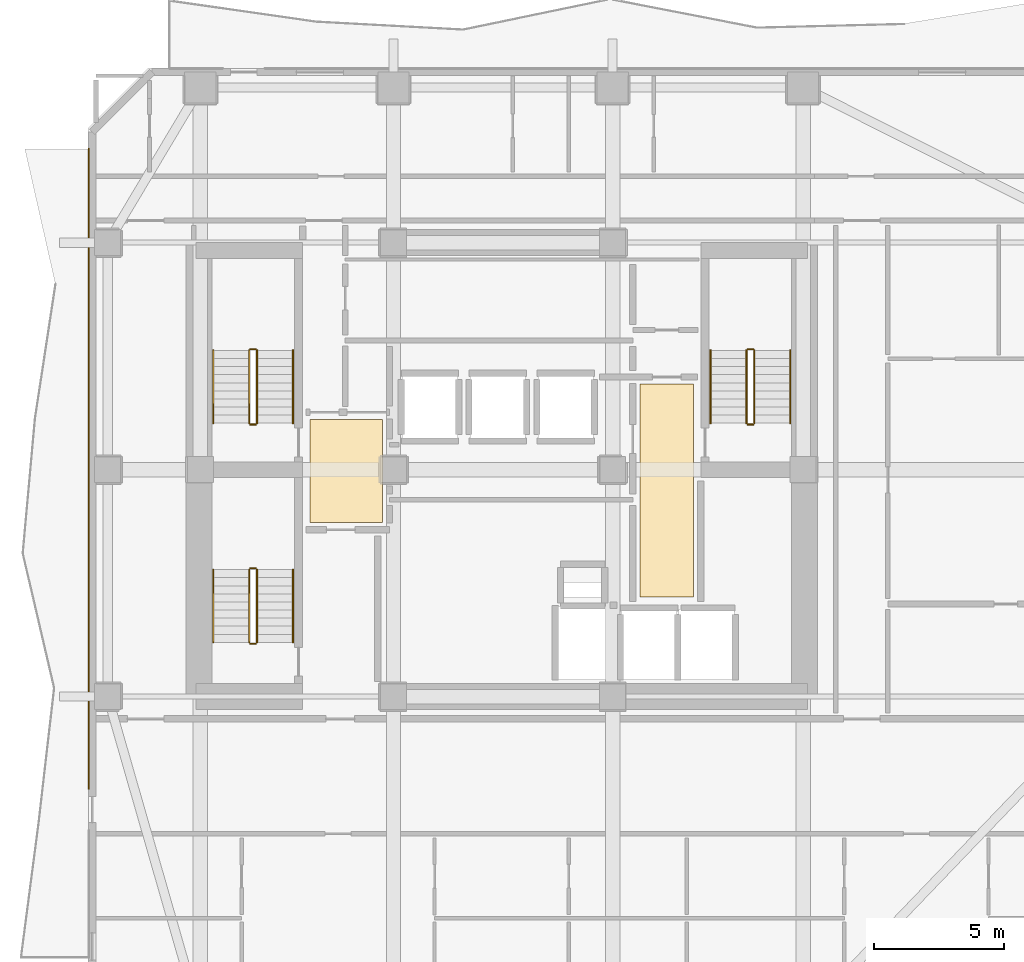
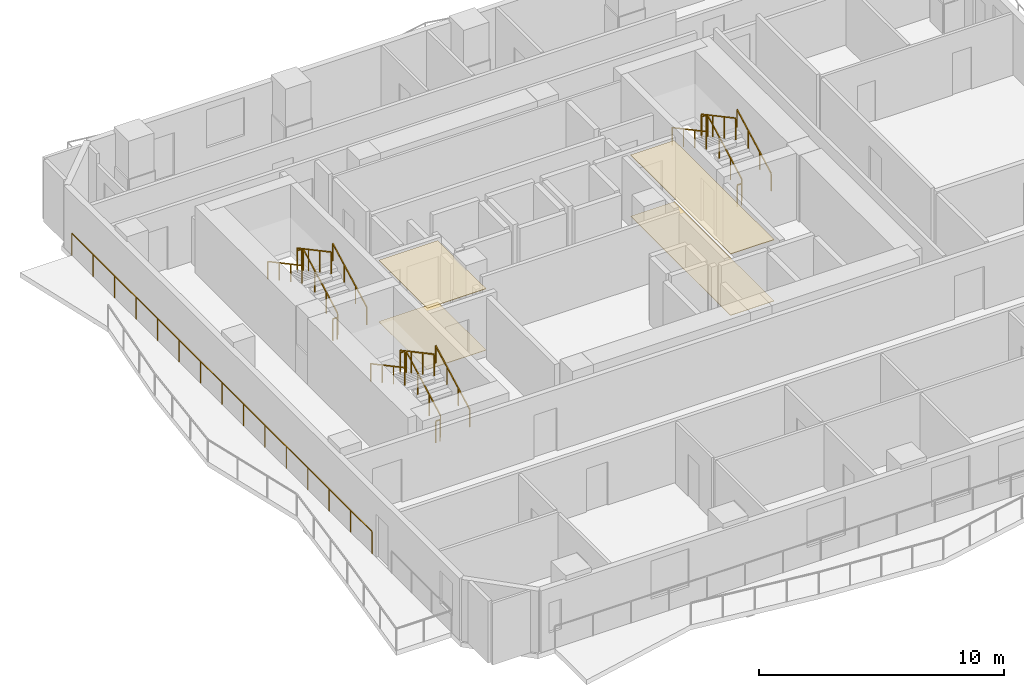
# One storey, part 8 of 9: 19 railings, 4 coverings.
"""IFC4 building model written with IfcOpenShell, lengths in metres."""

from ifc_helpers import new_model, si_unit, direction, frame, origin, origin_2d, place, context, subcontext, project, spatial, polyline, rectangle, outline, extrude, material, layer, layer_set, type_object, element, save


model = new_model("IFC4")

# Units and contexts
model_context = context("Model", 3, precision=1e-05, world=origin(), true_north=direction((0.0, 1.0)))
body_context = subcontext(model_context, "Body", "Model", "MODEL_VIEW")
ifc_project = project(units=[si_unit("LENGTHUNIT", "METRE"), si_unit("AREAUNIT", "SQUARE_METRE"), si_unit("VOLUMEUNIT", "CUBIC_METRE"), si_unit("PLANEANGLEUNIT", "RADIAN"), si_unit("MASSUNIT", "GRAM", prefix="KILO")], contexts=[model_context])

# Site, building, storey
site_placement = place(None, origin())
site = spatial("IfcSite", under=ifc_project, at=site_placement, CompositionType="ELEMENT")
building_placement = place(site_placement, origin())
building = spatial("IfcBuilding", under=site, at=building_placement, Name="Solanera Arch Residences", CompositionType="ELEMENT")
storey_placement = place(building_placement, frame((0.0, 0.0, 129.320068359375)))
storey = spatial("IfcBuildingStorey", under=building, at=storey_placement, Name="L37", CompositionType="ELEMENT", Elevation=129.320068359375)

# Railing
ifc_material_1 = material(Name="Steel S355 (ASTM A992 / A572 Grade 50)", Category="steel")
railing_type_1 = type_object("IfcRailingType", Name="Balustrade Railing BL-1100", PredefinedType="BALUSTRADE", material=ifc_material_1)
railing_1_placement = place(storey_placement, frame((9.1201171875, 18.472900390625, 0.0)))
element("IfcRailing", 1, at=railing_1_placement, inside=storey, type_object=railing_type_1, Name="L37 W Balcony Balustrade 2", PredefinedType="BALUSTRADE", context=body_context, shape_type="SweptSolid", body=[
    extrude(rectangle(XDim=0.048095703125, YDim=0.048095703125, at=origin_2d()), frame((0.0, 0.0, 1.09619140625), z_axis=(0.0, 1.0, 0.0), x_axis=(-1.0, 0.0, 0.0)), (0.0, 0.0, 1.0), 24.527099609375),
    extrude(rectangle(XDim=0.0419921875, YDim=0.0419921875, at=origin_2d()), origin(), (0.0, 0.0, 1.0), 1.072021484375),
    extrude(rectangle(XDim=0.0419921875, YDim=0.0419921875, at=origin_2d()), frame((0.0, 1.751953125, 0.0)), (0.0, 0.0, 1.0), 1.072021484375),
    extrude(rectangle(XDim=0.0419921875, YDim=0.0419921875, at=origin_2d()), frame((0.0, 3.50390625, 0.0)), (0.0, 0.0, 1.0), 1.072021484375),
    extrude(rectangle(XDim=0.0419921875, YDim=0.0419921875, at=origin_2d()), frame((0.0, 5.255859375, 0.0)), (0.0, 0.0, 1.0), 1.072021484375),
    extrude(rectangle(XDim=0.0419921875, YDim=0.0419921875, at=origin_2d()), frame((0.0, 7.0078125, 0.0)), (0.0, 0.0, 1.0), 1.072021484375),
    extrude(rectangle(XDim=0.0419921875, YDim=0.0419921875, at=origin_2d()), frame((0.0, 8.759765625, 0.0)), (0.0, 0.0, 1.0), 1.072021484375),
    extrude(rectangle(XDim=0.0419921875, YDim=0.0419921875, at=origin_2d()), frame((0.0, 10.51171875, 0.0)), (0.0, 0.0, 1.0), 1.072021484375),
    extrude(rectangle(XDim=0.0419921875, YDim=0.0419921875, at=origin_2d()), frame((0.0, 12.263671875, 0.0)), (0.0, 0.0, 1.0), 1.072021484375),
    extrude(rectangle(XDim=0.0419921875, YDim=0.0419921875, at=origin_2d()), frame((0.0, 14.015380859375, 0.0)), (0.0, 0.0, 1.0), 1.072021484375),
    extrude(rectangle(XDim=0.0419921875, YDim=0.0419921875, at=origin_2d()), frame((0.0, 15.767333984375, 0.0)), (0.0, 0.0, 1.0), 1.072021484375),
    extrude(rectangle(XDim=0.0419921875, YDim=0.0419921875, at=origin_2d()), frame((0.0, 17.519287109375, 0.0)), (0.0, 0.0, 1.0), 1.072021484375),
    extrude(rectangle(XDim=0.0419921875, YDim=0.0419921875, at=origin_2d()), frame((0.0, 19.271240234375, 0.0)), (0.0, 0.0, 1.0), 1.072021484375),
    extrude(rectangle(XDim=0.0419921875, YDim=0.0419921875, at=origin_2d()), frame((0.0, 21.023193359375, 0.0)), (0.0, 0.0, 1.0), 1.072021484375),
    extrude(rectangle(XDim=0.0419921875, YDim=0.0419921875, at=origin_2d()), frame((0.0, 22.775146484375, 0.0)), (0.0, 0.0, 1.0), 1.072021484375),
    extrude(rectangle(XDim=0.0419921875, YDim=0.0419921875, at=origin_2d()), frame((0.0, 24.527099609375, 0.0)), (0.0, 0.0, 1.0), 1.072021484375),
])

# Coverings
ifc_material_2 = material(Name="Porcelain Acoustic Floor Tile", Category="ceramic")
ifc_layer_1 = layer(ifc_material_2, 0.02001953125)
ifc_layer_set_1 = layer_set([ifc_layer_1], Name="Porcelain Acoustic Floor Tile")
covering_type_1 = type_object("IfcCoveringType", Name="Porcelain Acoustic Floor Finish FLR-20", PredefinedType="FLOORING", material=ifc_layer_set_1)
covering_1_placement = place(storey_placement, origin())
element("IfcCovering", 2, at=covering_1_placement, inside=storey, type_object=covering_type_1, Name="L37-FFL-W Porcelain Floor Finish", PredefinedType="FLOORING", context=body_context, shape_type="SweptSolid", body=[
    extrude(outline(polyline([(20.375, 28.675048828125), (17.594970703125, 28.675048828125), (17.594970703125, 32.625), (20.375, 32.625), (20.375, 28.675048828125)])), origin(), (0.0, 0.0, 1.0), 0.02001953125),
])
covering_2_placement = place(storey_placement, origin())
element("IfcCovering", 3, at=covering_2_placement, inside=storey, type_object=covering_type_1, Name="L37-FFL-E Porcelain Floor Finish", PredefinedType="FLOORING", context=body_context, shape_type="SweptSolid", body=[
    extrude(outline(polyline([(32.304931640625, 25.824951171875), (30.25, 25.824951171875), (30.25, 33.97509765625), (32.304931640625, 33.97509765625), (32.304931640625, 25.824951171875)])), origin(), (0.0, 0.0, 1.0), 0.02001953125),
])

# Railings
ifc_material_3 = material(Name="Steel S355 (ASTM A992 / A572 Grade 50)", Category="steel")
railing_type_2 = type_object("IfcRailingType", Name="Stair Guardrail GR-1100", PredefinedType="GUARDRAIL", material=ifc_material_3)
railing_2_placement = place(storey_placement, frame((15.570068359375, 32.47998046875, 0.15087890625)))
element("IfcRailing", 4, at=railing_2_placement, inside=storey, type_object=railing_type_2, Name="L37 ST-T1 stair guard 1", PredefinedType="GUARDRAIL", context=body_context, shape_type="SweptSolid", body=[
    extrude(rectangle(XDim=0.048095703125, YDim=0.048095703125, at=origin_2d()), frame((0.0, 0.0, 1.076171875), z_axis=(0.0, 0.881548766853, 0.472092969298), x_axis=(-1.0, 0.0, 0.0)), (0.0, 0.0, 1.0), 3.1650390625),
    extrude(rectangle(XDim=0.0419921875, YDim=0.0419921875, at=origin_2d()), origin(), (0.0, 0.0, 1.0), 1.052001953125),
    extrude(rectangle(XDim=0.0419921875, YDim=0.0419921875, at=origin_2d()), frame((0.0, 0.929931640625, 0.498046875)), (0.0, 0.0, 1.0), 1.052001953125),
    extrude(rectangle(XDim=0.0419921875, YDim=0.0419921875, at=origin_2d()), frame((0.0, 1.860107421875, 0.99609375)), (0.0, 0.0, 1.0), 1.052001953125),
    extrude(rectangle(XDim=0.0419921875, YDim=0.0419921875, at=origin_2d()), frame((0.0, 2.7900390625, 1.494140625)), (0.0, 0.0, 1.0), 1.052001953125),
])
railing_3_placement = place(storey_placement, frame((15.52001953125, 35.320068359375, 1.64501953125)))
element("IfcRailing", 5, at=railing_3_placement, inside=storey, type_object=railing_type_2, Name="L37 ST-T1 stair guard 2", PredefinedType="GUARDRAIL", context=body_context, shape_type="SweptSolid", body=[
    extrude(rectangle(XDim=0.048095703125, YDim=0.048095703125, at=origin_2d()), frame((0.0, 0.0, 1.076171875), z_axis=(-1.0, 0.0, 0.0), x_axis=(0.0, -1.0, 0.0)), (0.0, 0.0, 1.0), 0.199951171875),
    extrude(rectangle(XDim=0.0419921875, YDim=0.0419921875, at=origin_2d()), origin(), (0.0, 0.0, 1.0), 1.052001953125),
    extrude(rectangle(XDim=0.0419921875, YDim=0.0419921875, at=origin_2d()), frame((-0.199951171875, 0.0, 0.0)), (0.0, 0.0, 1.0), 1.052001953125),
])
railing_4_placement = place(storey_placement, frame((15.27001953125, 35.27001953125, 1.81103515625)))
element("IfcRailing", 6, at=railing_4_placement, inside=storey, type_object=railing_type_2, Name="L37 ST-T1 stair guard 3", PredefinedType="GUARDRAIL", context=body_context, shape_type="SweptSolid", body=[
    extrude(rectangle(XDim=0.048095703125, YDim=0.048095703125, at=origin_2d()), frame((0.0, 0.0, 1.076171875), z_axis=(0.0, -0.881580869306, 0.472033018838), x_axis=(1.0, 0.0, 0.0)), (0.0, 0.0, 1.0), 3.164794921875),
    extrude(rectangle(XDim=0.0419921875, YDim=0.0419921875, at=origin_2d()), origin(), (0.0, 0.0, 1.0), 1.052001953125),
    extrude(rectangle(XDim=0.0419921875, YDim=0.0419921875, at=origin_2d()), frame((0.0, -0.929931640625, 0.498046875)), (0.0, 0.0, 1.0), 1.052001953125),
    extrude(rectangle(XDim=0.0419921875, YDim=0.0419921875, at=origin_2d()), frame((0.0, -1.860107421875, 0.995849609375)), (0.0, 0.0, 1.0), 1.052001953125),
    extrude(rectangle(XDim=0.0419921875, YDim=0.0419921875, at=origin_2d()), frame((0.0, -2.7900390625, 1.493896484375)), (0.0, 0.0, 1.0), 1.052001953125),
])
railing_5_placement = place(storey_placement, frame((15.52001953125, 32.429931640625, -0.01513671875)))
element("IfcRailing", 7, at=railing_5_placement, inside=storey, type_object=railing_type_2, Name="L37 ST-T1 stair guard 4", PredefinedType="GUARDRAIL", context=body_context, shape_type="SweptSolid", body=[
    extrude(rectangle(XDim=0.048095703125, YDim=0.048095703125, at=origin_2d()), frame((0.0, 0.0, 1.076171875), z_axis=(-1.0, 0.0, 0.0), x_axis=(0.0, -1.0, 0.0)), (0.0, 0.0, 1.0), 0.199951171875),
    extrude(rectangle(XDim=0.0419921875, YDim=0.0419921875, at=origin_2d()), origin(), (0.0, 0.0, 1.0), 1.052001953125),
    extrude(rectangle(XDim=0.0419921875, YDim=0.0419921875, at=origin_2d()), frame((-0.199951171875, 0.0, 0.0)), (0.0, 0.0, 1.0), 1.052001953125),
])
railing_6_placement = place(storey_placement, frame((34.6298828125, 32.47998046875, 0.15087890625)))
element("IfcRailing", 8, at=railing_6_placement, inside=storey, type_object=railing_type_2, Name="L37 ST-T2 stair guard 1", PredefinedType="GUARDRAIL", context=body_context, shape_type="SweptSolid", body=[
    extrude(rectangle(XDim=0.048095703125, YDim=0.048095703125, at=origin_2d()), frame((0.0, 0.0, 1.076171875), z_axis=(0.0, 0.881548766853, 0.472092969298), x_axis=(-1.0, 0.0, 0.0)), (0.0, 0.0, 1.0), 3.1650390625),
    extrude(rectangle(XDim=0.0419921875, YDim=0.0419921875, at=origin_2d()), origin(), (0.0, 0.0, 1.0), 1.052001953125),
    extrude(rectangle(XDim=0.0419921875, YDim=0.0419921875, at=origin_2d()), frame((0.0, 0.929931640625, 0.498046875)), (0.0, 0.0, 1.0), 1.052001953125),
    extrude(rectangle(XDim=0.0419921875, YDim=0.0419921875, at=origin_2d()), frame((0.0, 1.860107421875, 0.99609375)), (0.0, 0.0, 1.0), 1.052001953125),
    extrude(rectangle(XDim=0.0419921875, YDim=0.0419921875, at=origin_2d()), frame((0.0, 2.7900390625, 1.494140625)), (0.0, 0.0, 1.0), 1.052001953125),
])
railing_7_placement = place(storey_placement, frame((34.580078125, 35.320068359375, 1.64501953125)))
element("IfcRailing", 9, at=railing_7_placement, inside=storey, type_object=railing_type_2, Name="L37 ST-T2 stair guard 2", PredefinedType="GUARDRAIL", context=body_context, shape_type="SweptSolid", body=[
    extrude(rectangle(XDim=0.048095703125, YDim=0.048095703125, at=origin_2d()), frame((0.0, 0.0, 1.076171875), z_axis=(-1.0, 0.0, 0.0), x_axis=(0.0, -1.0, 0.0)), (0.0, 0.0, 1.0), 0.2001953125),
    extrude(rectangle(XDim=0.0419921875, YDim=0.0419921875, at=origin_2d()), origin(), (0.0, 0.0, 1.0), 1.052001953125),
    extrude(rectangle(XDim=0.0419921875, YDim=0.0419921875, at=origin_2d()), frame((-0.2001953125, 0.0, 0.0)), (0.0, 0.0, 1.0), 1.052001953125),
])
railing_8_placement = place(storey_placement, frame((34.330078125, 35.27001953125, 1.81103515625)))
element("IfcRailing", 10, at=railing_8_placement, inside=storey, type_object=railing_type_2, Name="L37 ST-T2 stair guard 3", PredefinedType="GUARDRAIL", context=body_context, shape_type="SweptSolid", body=[
    extrude(rectangle(XDim=0.048095703125, YDim=0.048095703125, at=origin_2d()), frame((0.0, 0.0, 1.076171875), z_axis=(0.0, -0.881580869306, 0.472033018838), x_axis=(1.0, 0.0, 0.0)), (0.0, 0.0, 1.0), 3.164794921875),
    extrude(rectangle(XDim=0.0419921875, YDim=0.0419921875, at=origin_2d()), origin(), (0.0, 0.0, 1.0), 1.052001953125),
    extrude(rectangle(XDim=0.0419921875, YDim=0.0419921875, at=origin_2d()), frame((0.0, -0.929931640625, 0.498046875)), (0.0, 0.0, 1.0), 1.052001953125),
    extrude(rectangle(XDim=0.0419921875, YDim=0.0419921875, at=origin_2d()), frame((0.0, -1.860107421875, 0.995849609375)), (0.0, 0.0, 1.0), 1.052001953125),
    extrude(rectangle(XDim=0.0419921875, YDim=0.0419921875, at=origin_2d()), frame((0.0, -2.7900390625, 1.493896484375)), (0.0, 0.0, 1.0), 1.052001953125),
])
railing_9_placement = place(storey_placement, frame((34.580078125, 32.429931640625, -0.01513671875)))
element("IfcRailing", 11, at=railing_9_placement, inside=storey, type_object=railing_type_2, Name="L37 ST-T2 stair guard 4", PredefinedType="GUARDRAIL", context=body_context, shape_type="SweptSolid", body=[
    extrude(rectangle(XDim=0.048095703125, YDim=0.048095703125, at=origin_2d()), frame((0.0, 0.0, 1.076171875), z_axis=(-1.0, 0.0, 0.0), x_axis=(0.0, -1.0, 0.0)), (0.0, 0.0, 1.0), 0.2001953125),
    extrude(rectangle(XDim=0.0419921875, YDim=0.0419921875, at=origin_2d()), origin(), (0.0, 0.0, 1.0), 1.052001953125),
    extrude(rectangle(XDim=0.0419921875, YDim=0.0419921875, at=origin_2d()), frame((-0.2001953125, 0.0, 0.0)), (0.0, 0.0, 1.0), 1.052001953125),
])
railing_10_placement = place(storey_placement, frame((15.570068359375, 24.080078125, 0.15087890625)))
element("IfcRailing", 12, at=railing_10_placement, inside=storey, type_object=railing_type_2, Name="L37 ST-T3 stair guard 1", PredefinedType="GUARDRAIL", context=body_context, shape_type="SweptSolid", body=[
    extrude(rectangle(XDim=0.048095703125, YDim=0.048095703125, at=origin_2d()), frame((0.0, 0.0, 1.076171875), z_axis=(0.0, 0.881548766853, 0.472092969298), x_axis=(-1.0, 0.0, 0.0)), (0.0, 0.0, 1.0), 3.1650390625),
    extrude(rectangle(XDim=0.0419921875, YDim=0.0419921875, at=origin_2d()), origin(), (0.0, 0.0, 1.0), 1.052001953125),
    extrude(rectangle(XDim=0.0419921875, YDim=0.0419921875, at=origin_2d()), frame((0.0, 0.929931640625, 0.498046875)), (0.0, 0.0, 1.0), 1.052001953125),
    extrude(rectangle(XDim=0.0419921875, YDim=0.0419921875, at=origin_2d()), frame((0.0, 1.860107421875, 0.99609375)), (0.0, 0.0, 1.0), 1.052001953125),
    extrude(rectangle(XDim=0.0419921875, YDim=0.0419921875, at=origin_2d()), frame((0.0, 2.7900390625, 1.494140625)), (0.0, 0.0, 1.0), 1.052001953125),
])
railing_11_placement = place(storey_placement, frame((15.52001953125, 26.919921875, 1.64501953125)))
element("IfcRailing", 13, at=railing_11_placement, inside=storey, type_object=railing_type_2, Name="L37 ST-T3 stair guard 2", PredefinedType="GUARDRAIL", context=body_context, shape_type="SweptSolid", body=[
    extrude(rectangle(XDim=0.048095703125, YDim=0.048095703125, at=origin_2d()), frame((0.0, 0.0, 1.076171875), z_axis=(-1.0, 0.0, 0.0), x_axis=(0.0, -1.0, 0.0)), (0.0, 0.0, 1.0), 0.199951171875),
    extrude(rectangle(XDim=0.0419921875, YDim=0.0419921875, at=origin_2d()), origin(), (0.0, 0.0, 1.0), 1.052001953125),
    extrude(rectangle(XDim=0.0419921875, YDim=0.0419921875, at=origin_2d()), frame((-0.199951171875, 0.0, 0.0)), (0.0, 0.0, 1.0), 1.052001953125),
])
railing_12_placement = place(storey_placement, frame((15.27001953125, 26.8701171875, 1.81103515625)))
element("IfcRailing", 14, at=railing_12_placement, inside=storey, type_object=railing_type_2, Name="L37 ST-T3 stair guard 3", PredefinedType="GUARDRAIL", context=body_context, shape_type="SweptSolid", body=[
    extrude(rectangle(XDim=0.048095703125, YDim=0.048095703125, at=origin_2d()), frame((0.0, 0.0, 1.076171875), z_axis=(0.0, -0.881580869306, 0.472033018838), x_axis=(1.0, 0.0, 0.0)), (0.0, 0.0, 1.0), 3.164794921875),
    extrude(rectangle(XDim=0.0419921875, YDim=0.0419921875, at=origin_2d()), origin(), (0.0, 0.0, 1.0), 1.052001953125),
    extrude(rectangle(XDim=0.0419921875, YDim=0.0419921875, at=origin_2d()), frame((0.0, -0.929931640625, 0.498046875)), (0.0, 0.0, 1.0), 1.052001953125),
    extrude(rectangle(XDim=0.0419921875, YDim=0.0419921875, at=origin_2d()), frame((0.0, -1.860107421875, 0.995849609375)), (0.0, 0.0, 1.0), 1.052001953125),
    extrude(rectangle(XDim=0.0419921875, YDim=0.0419921875, at=origin_2d()), frame((0.0, -2.7900390625, 1.493896484375)), (0.0, 0.0, 1.0), 1.052001953125),
])
railing_13_placement = place(storey_placement, frame((15.52001953125, 24.030029296875, -0.01513671875)))
element("IfcRailing", 15, at=railing_13_placement, inside=storey, type_object=railing_type_2, Name="L37 ST-T3 stair guard 4", PredefinedType="GUARDRAIL", context=body_context, shape_type="SweptSolid", body=[
    extrude(rectangle(XDim=0.048095703125, YDim=0.048095703125, at=origin_2d()), frame((0.0, 0.0, 1.076171875), z_axis=(-1.0, 0.0, 0.0), x_axis=(0.0, -1.0, 0.0)), (0.0, 0.0, 1.0), 0.199951171875),
    extrude(rectangle(XDim=0.0419921875, YDim=0.0419921875, at=origin_2d()), origin(), (0.0, 0.0, 1.0), 1.052001953125),
    extrude(rectangle(XDim=0.0419921875, YDim=0.0419921875, at=origin_2d()), frame((-0.199951171875, 0.0, 0.0)), (0.0, 0.0, 1.0), 1.052001953125),
])
ifc_material_4 = material(Name="Steel S355 (ASTM A992 / A572 Grade 50)", Category="steel")
railing_type_3 = type_object("IfcRailingType", Name="Stair Wall Handrail HR-920", PredefinedType="HANDRAIL", material=ifc_material_4)
railing_14_placement = place(storey_placement, frame((16.949951171875, 32.47998046875, 0.166015625)))
element("IfcRailing", 16, at=railing_14_placement, inside=storey, type_object=railing_type_3, Name="L37 ST-T1 stair handrail 1", PredefinedType="HANDRAIL", context=body_context, shape_type="SweptSolid", body=[
    extrude(rectangle(XDim=0.048095703125, YDim=0.048095703125, at=origin_2d()), frame((0.0, 0.0, 0.8759765625), z_axis=(0.0, 0.881580869306, 0.472033018838), x_axis=(-1.0, 0.0, 0.0)), (0.0, 0.0, 1.0), 3.164794921875),
    extrude(rectangle(XDim=0.0419921875, YDim=0.0419921875, at=origin_2d()), origin(), (0.0, 0.0, 1.0), 0.851806640625),
    extrude(rectangle(XDim=0.0419921875, YDim=0.0419921875, at=origin_2d()), frame((0.0, 0.929931640625, 0.498046875)), (0.0, 0.0, 1.0), 0.851806640625),
    extrude(rectangle(XDim=0.0419921875, YDim=0.0419921875, at=origin_2d()), frame((0.0, 1.860107421875, 0.995849609375)), (0.0, 0.0, 1.0), 0.851806640625),
    extrude(rectangle(XDim=0.0419921875, YDim=0.0419921875, at=origin_2d()), frame((0.0, 2.7900390625, 1.493896484375)), (0.0, 0.0, 1.0), 0.851806640625),
])
railing_15_placement = place(storey_placement, frame((13.889892578125, 35.27001953125, 1.825927734375)))
element("IfcRailing", 17, at=railing_15_placement, inside=storey, type_object=railing_type_3, Name="L37 ST-T1 stair handrail 2", PredefinedType="HANDRAIL", context=body_context, shape_type="SweptSolid", body=[
    extrude(rectangle(XDim=0.048095703125, YDim=0.048095703125, at=origin_2d()), frame((0.0, 0.0, 0.8759765625), z_axis=(0.0, -0.881580869306, 0.472033018838), x_axis=(1.0, 0.0, 0.0)), (0.0, 0.0, 1.0), 3.164794921875),
    extrude(rectangle(XDim=0.0419921875, YDim=0.0419921875, at=origin_2d()), origin(), (0.0, 0.0, 1.0), 0.851806640625),
    extrude(rectangle(XDim=0.0419921875, YDim=0.0419921875, at=origin_2d()), frame((0.0, -0.929931640625, 0.498046875)), (0.0, 0.0, 1.0), 0.851806640625),
    extrude(rectangle(XDim=0.0419921875, YDim=0.0419921875, at=origin_2d()), frame((0.0, -1.860107421875, 0.995849609375)), (0.0, 0.0, 1.0), 0.851806640625),
    extrude(rectangle(XDim=0.0419921875, YDim=0.0419921875, at=origin_2d()), frame((0.0, -2.7900390625, 1.493896484375)), (0.0, 0.0, 1.0), 0.851806640625),
])
railing_16_placement = place(storey_placement, frame((36.010009765625, 32.47998046875, 0.166015625)))
element("IfcRailing", 18, at=railing_16_placement, inside=storey, type_object=railing_type_3, Name="L37 ST-T2 stair handrail 1", PredefinedType="HANDRAIL", context=body_context, shape_type="SweptSolid", body=[
    extrude(rectangle(XDim=0.048095703125, YDim=0.048095703125, at=origin_2d()), frame((0.0, 0.0, 0.8759765625), z_axis=(0.0, 0.881580869306, 0.472033018838), x_axis=(-1.0, 0.0, 0.0)), (0.0, 0.0, 1.0), 3.164794921875),
    extrude(rectangle(XDim=0.0419921875, YDim=0.0419921875, at=origin_2d()), origin(), (0.0, 0.0, 1.0), 0.851806640625),
    extrude(rectangle(XDim=0.0419921875, YDim=0.0419921875, at=origin_2d()), frame((0.0, 0.929931640625, 0.498046875)), (0.0, 0.0, 1.0), 0.851806640625),
    extrude(rectangle(XDim=0.0419921875, YDim=0.0419921875, at=origin_2d()), frame((0.0, 1.860107421875, 0.995849609375)), (0.0, 0.0, 1.0), 0.851806640625),
    extrude(rectangle(XDim=0.0419921875, YDim=0.0419921875, at=origin_2d()), frame((0.0, 2.7900390625, 1.493896484375)), (0.0, 0.0, 1.0), 0.851806640625),
])
railing_17_placement = place(storey_placement, frame((32.949951171875, 35.27001953125, 1.825927734375)))
element("IfcRailing", 19, at=railing_17_placement, inside=storey, type_object=railing_type_3, Name="L37 ST-T2 stair handrail 2", PredefinedType="HANDRAIL", context=body_context, shape_type="SweptSolid", body=[
    extrude(rectangle(XDim=0.048095703125, YDim=0.048095703125, at=origin_2d()), frame((0.0, 0.0, 0.8759765625), z_axis=(0.0, -0.881580869306, 0.472033018838), x_axis=(1.0, 0.0, 0.0)), (0.0, 0.0, 1.0), 3.164794921875),
    extrude(rectangle(XDim=0.0419921875, YDim=0.0419921875, at=origin_2d()), origin(), (0.0, 0.0, 1.0), 0.851806640625),
    extrude(rectangle(XDim=0.0419921875, YDim=0.0419921875, at=origin_2d()), frame((0.0, -0.929931640625, 0.498046875)), (0.0, 0.0, 1.0), 0.851806640625),
    extrude(rectangle(XDim=0.0419921875, YDim=0.0419921875, at=origin_2d()), frame((0.0, -1.860107421875, 0.995849609375)), (0.0, 0.0, 1.0), 0.851806640625),
    extrude(rectangle(XDim=0.0419921875, YDim=0.0419921875, at=origin_2d()), frame((0.0, -2.7900390625, 1.493896484375)), (0.0, 0.0, 1.0), 0.851806640625),
])
railing_18_placement = place(storey_placement, frame((16.949951171875, 24.080078125, 0.166015625)))
element("IfcRailing", 20, at=railing_18_placement, inside=storey, type_object=railing_type_3, Name="L37 ST-T3 stair handrail 1", PredefinedType="HANDRAIL", context=body_context, shape_type="SweptSolid", body=[
    extrude(rectangle(XDim=0.048095703125, YDim=0.048095703125, at=origin_2d()), frame((0.0, 0.0, 0.8759765625), z_axis=(0.0, 0.881580869306, 0.472033018838), x_axis=(-1.0, 0.0, 0.0)), (0.0, 0.0, 1.0), 3.164794921875),
    extrude(rectangle(XDim=0.0419921875, YDim=0.0419921875, at=origin_2d()), origin(), (0.0, 0.0, 1.0), 0.851806640625),
    extrude(rectangle(XDim=0.0419921875, YDim=0.0419921875, at=origin_2d()), frame((0.0, 0.929931640625, 0.498046875)), (0.0, 0.0, 1.0), 0.851806640625),
    extrude(rectangle(XDim=0.0419921875, YDim=0.0419921875, at=origin_2d()), frame((0.0, 1.860107421875, 0.995849609375)), (0.0, 0.0, 1.0), 0.851806640625),
    extrude(rectangle(XDim=0.0419921875, YDim=0.0419921875, at=origin_2d()), frame((0.0, 2.7900390625, 1.493896484375)), (0.0, 0.0, 1.0), 0.851806640625),
])
railing_19_placement = place(storey_placement, frame((13.889892578125, 26.8701171875, 1.825927734375)))
element("IfcRailing", 21, at=railing_19_placement, inside=storey, type_object=railing_type_3, Name="L37 ST-T3 stair handrail 2", PredefinedType="HANDRAIL", context=body_context, shape_type="SweptSolid", body=[
    extrude(rectangle(XDim=0.048095703125, YDim=0.048095703125, at=origin_2d()), frame((0.0, 0.0, 0.8759765625), z_axis=(0.0, -0.881580869306, 0.472033018838), x_axis=(1.0, 0.0, 0.0)), (0.0, 0.0, 1.0), 3.164794921875),
    extrude(rectangle(XDim=0.0419921875, YDim=0.0419921875, at=origin_2d()), origin(), (0.0, 0.0, 1.0), 0.851806640625),
    extrude(rectangle(XDim=0.0419921875, YDim=0.0419921875, at=origin_2d()), frame((0.0, -0.929931640625, 0.498046875)), (0.0, 0.0, 1.0), 0.851806640625),
    extrude(rectangle(XDim=0.0419921875, YDim=0.0419921875, at=origin_2d()), frame((0.0, -1.860107421875, 0.995849609375)), (0.0, 0.0, 1.0), 0.851806640625),
    extrude(rectangle(XDim=0.0419921875, YDim=0.0419921875, at=origin_2d()), frame((0.0, -2.7900390625, 1.493896484375)), (0.0, 0.0, 1.0), 0.851806640625),
])

# Coverings
ifc_material_5 = material(Name="Mineral Fibre Acoustic Ceiling Board", Category="gypsum")
ifc_layer_2 = layer(ifc_material_5, 0.02490234375)
ifc_layer_set_2 = layer_set([ifc_layer_2], Name="Mineral Fibre Acoustic Ceiling Board")
covering_type_2 = type_object("IfcCoveringType", Name="Suspended Acoustic Ceiling Board CLG-25", PredefinedType="CEILING", material=ifc_layer_set_2)
covering_3_placement = place(storey_placement, frame((0.0, 0.0, 3.054931640625)))
element("IfcCovering", 22, at=covering_3_placement, inside=storey, type_object=covering_type_2, Name="L37-FFL-W Acoustic Ceiling", PredefinedType="CEILING", context=body_context, shape_type="SweptSolid", body=[
    extrude(outline(polyline([(20.375, 28.675048828125), (17.594970703125, 28.675048828125), (17.594970703125, 32.625), (20.375, 32.625), (20.375, 28.675048828125)])), origin(), (0.0, 0.0, 1.0), 0.02490234375),
])
covering_4_placement = place(storey_placement, frame((0.0, 0.0, 3.054931640625)))
element("IfcCovering", 23, at=covering_4_placement, inside=storey, type_object=covering_type_2, Name="L37-FFL-E Acoustic Ceiling", PredefinedType="CEILING", context=body_context, shape_type="SweptSolid", body=[
    extrude(outline(polyline([(32.304931640625, 25.824951171875), (30.25, 25.824951171875), (30.25, 33.97509765625), (32.304931640625, 33.97509765625), (32.304931640625, 25.824951171875)])), origin(), (0.0, 0.0, 1.0), 0.02490234375),
])

save(model, "model.ifc")
